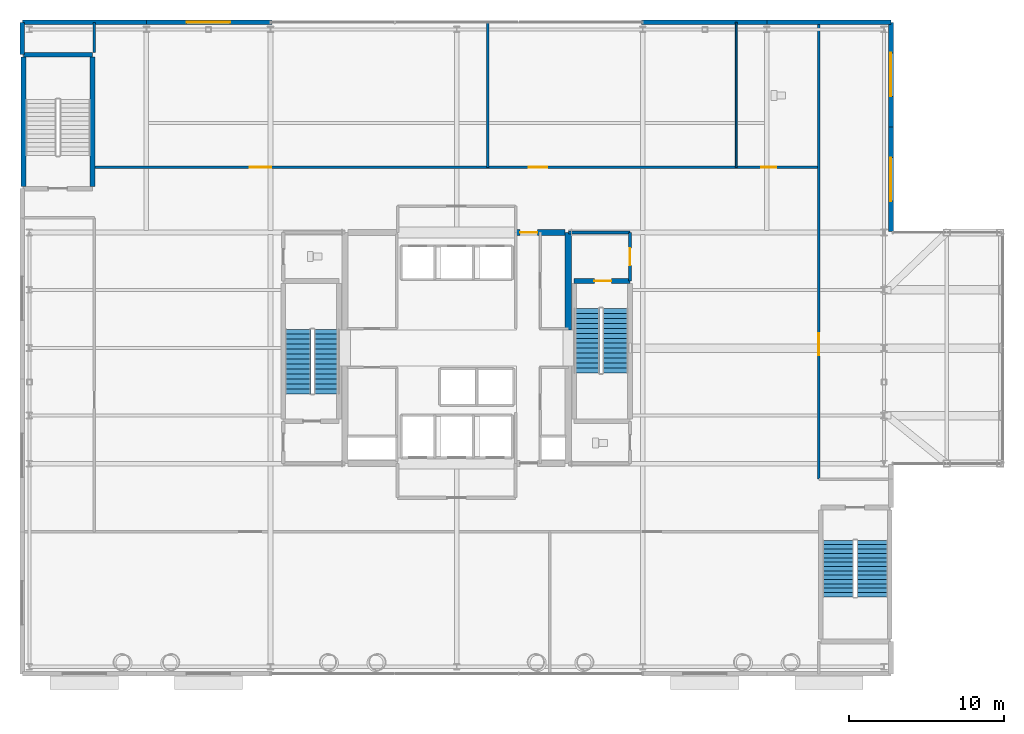
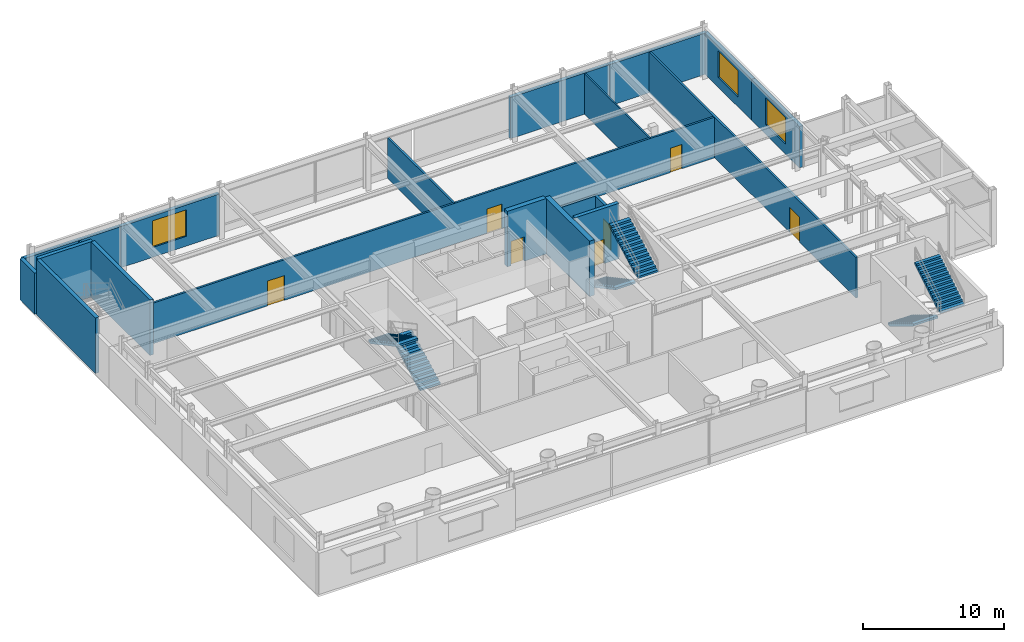
# One storey, part 21 of 26: 20 walls, 7 doors, 6 stair flights, 3 windows, 10 openings, 3 elements without a shape of their own.
"""IFC4 building model written with IfcOpenShell, lengths in metres."""

from ifc_helpers import new_model, si_unit, direction, frame, frame_2d, origin, place, context, subcontext, project, spatial, polyline, rectangle, outline, extrude, material, layer, layer_set, type_object, element, fill, aggregate, save


model = new_model("IFC4")

# Units and contexts
model_context = context("Model", 3, precision=1e-05, world=origin(), true_north=direction((0.0, 1.0)))
body_context = subcontext(model_context, "Body", "Model", "MODEL_VIEW")
ifc_project = project(units=[si_unit("LENGTHUNIT", "METRE"), si_unit("AREAUNIT", "SQUARE_METRE"), si_unit("VOLUMEUNIT", "CUBIC_METRE"), si_unit("PLANEANGLEUNIT", "RADIAN"), si_unit("MASSUNIT", "GRAM", prefix="KILO")], contexts=[model_context])

# Site, building, storey
site_placement = place(None, origin())
site = spatial("IfcSite", under=ifc_project, at=site_placement, CompositionType="ELEMENT")
building_placement = place(site_placement, origin())
building = spatial("IfcBuilding", under=site, at=building_placement, Name="Veldorina Hangang Commons", CompositionType="ELEMENT")
storey_placement = place(building_placement, frame((0.0, 0.0, 5.199951171875)))
storey = spatial("IfcBuildingStorey", under=building, at=storey_placement, Name="L01", CompositionType="ELEMENT", Elevation=5.199951171875)

# Wall
ifc_material_1 = material(Name="Concrete C70/85", Category="concrete")
ifc_layer_1 = layer(ifc_material_1, 0.39990234375)
ifc_layer_set_1 = layer_set([ifc_layer_1], Name="Concrete C70/85")
wall_type_1 = type_object("IfcWallType", Name="CW-RC400-C70", PredefinedType="SHEAR", material=ifc_layer_set_1)
wall_1_placement = place(storey_placement, frame((39.199951171875, 25.14990234375, 0.0), z_axis=(0.0, 0.0, 1.0), x_axis=(0.0, 1.0, 0.0)))
element("IfcWall", 1, at=wall_1_placement, inside=storey, type_object=wall_type_1, Name="L01 E north core shear wall", PredefinedType="SHEAR", context=body_context, shape_type="SweptSolid", body=[
    extrude(rectangle(XDim=6.300048828125, YDim=0.39990234375, at=frame_2d((3.14990234375, 0.0))), origin(), (0.0, 0.0, 1.0), 4.800048828125),
])

# Wall, opening, door
wall_2_placement = place(storey_placement, frame((35.800048828125, 31.449951171875, 0.0), z_axis=(0.0, 0.0, 1.0), x_axis=(1.0, 0.0, 0.0)))
wall_2 = element("IfcWall", 2, at=wall_2_placement, inside=storey, type_object=wall_type_1, Name="L01 north-east core shear wall", PredefinedType="SHEAR", context=body_context, shape_type="SweptSolid", body=[
    extrude(rectangle(XDim=3.199951171875, YDim=0.39990234375, at=frame_2d((1.60009765625, 0.0))), origin(), (0.0, 0.0, 1.0), 4.800048828125),
])
opening_1_placement = place(wall_2_placement, frame((0.300048828125, 0.0, 0.0)))
opening_1 = element("IfcOpeningElement", 3, at=opening_1_placement, cuts=wall_2, Name="Opening D-08", PredefinedType="OPENING", context=body_context, shape_type="SweptSolid", body=[
    extrude(rectangle(XDim=1.10009765625, YDim=2.10009765625, at=frame_2d((0.550048828125, 1.050048828125))), frame((0.0, 0.2099609375, 0.0), z_axis=(0.0, -1.0, 0.0), x_axis=(1.0, 0.0, 0.0)), (0.0, 0.0, 1.0), 0.419921875),
])
ifc_material_2 = material(Name="Steel Fire-Rated Smoke Seal", Category="steel")
door_type_1 = type_object("IfcDoorType", Name="DR-FIRE-1100", OperationType="SINGLE_SWING_RIGHT", PredefinedType="DOOR", material=ifc_material_2)
door_1_placement = place(opening_1_placement, origin())
door_1 = element("IfcDoor", 4, at=door_1_placement, inside=storey, type_object=door_type_1, Name="L01 central lift lobby north corridor door", OperationType="SINGLE_SWING_LEFT", OverallHeight=2.10009765625, OverallWidth=1.10009765625, PredefinedType="DOOR", context=body_context, shape_type="SweptSolid", body=[
    extrude(rectangle(XDim=1.10009765625, YDim=2.10009765625, at=frame_2d((0.550048828125, 1.050048828125))), frame((0.0, 0.02490234375, 0.0), z_axis=(0.0, -1.0, 0.0), x_axis=(1.0, 0.0, 0.0)), (0.0, 0.0, 1.0), 0.050048828125),
])
fill(opening_1, door_1)

# Wall
ifc_material_3 = material(Name="Stone Roman Travertine", Category="masonry")
ifc_layer_2 = layer(ifc_material_3, 0.300048828125)
ifc_layer_set_2 = layer_set([ifc_layer_2], Name="Stone Roman Travertine")
wall_type_2 = type_object("IfcWallType", Name="EW-TRAV-300", PredefinedType="STANDARD", material=ifc_layer_set_2)
wall_3_placement = place(storey_placement, frame((12.0, 45.0, 0.0), z_axis=(0.0, 0.0, 1.0), x_axis=(-1.0, 0.0, 0.0)))
element("IfcWall", 5, at=wall_3_placement, inside=storey, type_object=wall_type_2, Name="L01 north podium stone wall N1", PredefinedType="STANDARD", context=body_context, shape_type="SweptSolid", body=[
    extrude(rectangle(XDim=8.0, YDim=0.300048828125, at=frame_2d((4.0, 0.0))), origin(), (0.0, 0.0, 1.0), 3.570068359375),
])

# Wall, opening, window
wall_4_placement = place(storey_placement, frame((20.094970703125, 45.0, 0.0), z_axis=(0.0, 0.0, 1.0), x_axis=(-1.0, 0.0, 0.0)))
wall_4 = element("IfcWall", 6, at=wall_4_placement, inside=storey, type_object=wall_type_2, Name="L01 north podium stone wall N2", PredefinedType="STANDARD", context=body_context, shape_type="SweptSolid", body=[
    extrude(rectangle(XDim=8.094970703125, YDim=0.300048828125, at=frame_2d((4.04736328125, 0.0))), origin(), (0.0, 0.0, 1.0), 3.570068359375),
])
opening_2_placement = place(wall_4_placement, frame((2.695068359375, 0.0, 0.85009765625)))
opening_2 = element("IfcOpeningElement", 7, at=opening_2_placement, cuts=wall_4, Name="Opening W-06", PredefinedType="OPENING", context=body_context, shape_type="SweptSolid", body=[
    extrude(rectangle(XDim=2.800048828125, YDim=2.300048828125, at=frame_2d((1.39990234375, 1.14990234375))), frame((0.0, 0.16015625, 0.0), z_axis=(0.0, -1.0, 0.0), x_axis=(1.0, 0.0, 0.0)), (0.0, 0.0, 1.0), 0.320068359375),
])
ifc_material_4 = material(Name="Glass Acoustic Laminated", Category="glass")
window_type = type_object("IfcWindowType", Name="WIN-POD-2800", PartitioningType="SINGLE_PANEL", PredefinedType="WINDOW", material=ifc_material_4)
window_1_placement = place(opening_2_placement, origin())
window_1 = element("IfcWindow", 8, at=window_1_placement, inside=storey, type_object=window_type, Name="L01 north podium window N2", OverallHeight=2.300048828125, OverallWidth=2.800048828125, PartitioningType="SINGLE_PANEL", PredefinedType="WINDOW", context=body_context, shape_type="SweptSolid", body=[
    extrude(rectangle(XDim=2.800048828125, YDim=2.300048828125, at=frame_2d((1.39990234375, 1.14990234375))), frame((0.0, 0.030029296875, 0.0), z_axis=(0.0, -1.0, 0.0), x_axis=(1.0, 0.0, 0.0)), (0.0, 0.0, 1.0), 0.06005859375),
])
fill(opening_2, window_1)

# Walls
wall_5_placement = place(storey_placement, frame((52.0, 45.0, 0.0), z_axis=(0.0, 0.0, 1.0), x_axis=(-1.0, 0.0, 0.0)))
element("IfcWall", 9, at=wall_5_placement, inside=storey, type_object=wall_type_2, Name="L01 north podium stone wall N6", PredefinedType="STANDARD", context=body_context, shape_type="SweptSolid", body=[
    extrude(rectangle(XDim=8.094970703125, YDim=0.300048828125, at=frame_2d((4.04736328125, 0.0))), origin(), (0.0, 0.0, 1.0), 3.570068359375),
])
wall_6_placement = place(storey_placement, frame((60.0, 45.0, 0.0), z_axis=(0.0, 0.0, 1.0), x_axis=(-1.0, 0.0, 0.0)))
element("IfcWall", 10, at=wall_6_placement, inside=storey, type_object=wall_type_2, Name="L01 north podium stone wall N7", PredefinedType="STANDARD", context=body_context, shape_type="SweptSolid", body=[
    extrude(rectangle(XDim=8.0, YDim=0.300048828125, at=frame_2d((4.0, 0.0))), origin(), (0.0, 0.0, 1.0), 3.570068359375),
])
wall_7_placement = place(storey_placement, frame((4.0, 45.0, 0.0), z_axis=(0.0, 0.0, 1.0), x_axis=(0.0, -1.0, 0.0)))
element("IfcWall", 11, at=wall_7_placement, inside=storey, type_object=wall_type_2, Name="L01 west podium stone wall W6", PredefinedType="STANDARD", context=body_context, shape_type="SweptSolid", body=[
    extrude(rectangle(XDim=2.080078125, YDim=0.300048828125, at=frame_2d((1.0400390625, 0.0))), origin(), (0.0, 0.0, 1.0), 3.570068359375),
])

# Wall, opening, window
wall_8_placement = place(storey_placement, frame((60.0, 31.5, 0.0), z_axis=(0.0, 0.0, 1.0), x_axis=(0.0, 1.0, 0.0)))
wall_8 = element("IfcWall", 12, at=wall_8_placement, inside=storey, type_object=wall_type_2, Name="L01 east podium stone wall EN1", PredefinedType="STANDARD", context=body_context, shape_type="SweptSolid", body=[
    extrude(rectangle(XDim=6.75, YDim=0.300048828125, at=frame_2d((3.375, 0.0))), origin(), (0.0, 0.0, 1.0), 3.570068359375),
])
opening_3_placement = place(wall_8_placement, frame((1.97509765625, 0.0, 0.85009765625)))
opening_3 = element("IfcOpeningElement", 13, at=opening_3_placement, cuts=wall_8, Name="Opening W-06", PredefinedType="OPENING", context=body_context, shape_type="SweptSolid", body=[
    extrude(rectangle(XDim=2.800048828125, YDim=2.300048828125, at=frame_2d((1.39990234375, 1.14990234375))), frame((0.0, 0.16015625, 0.0), z_axis=(0.0, -1.0, 0.0), x_axis=(1.0, 0.0, 0.0)), (0.0, 0.0, 1.0), 0.320068359375),
])
window_2_placement = place(opening_3_placement, origin())
window_2 = element("IfcWindow", 14, at=window_2_placement, inside=storey, type_object=window_type, Name="L01 east podium window EN1", OverallHeight=2.300048828125, OverallWidth=2.800048828125, PartitioningType="SINGLE_PANEL", PredefinedType="WINDOW", context=body_context, shape_type="SweptSolid", body=[
    extrude(rectangle(XDim=2.800048828125, YDim=2.300048828125, at=frame_2d((1.39990234375, 1.14990234375))), frame((0.0, 0.030029296875, 0.0), z_axis=(0.0, -1.0, 0.0), x_axis=(1.0, 0.0, 0.0)), (0.0, 0.0, 1.0), 0.06005859375),
])
fill(opening_3, window_2)

wall_9_placement = place(storey_placement, frame((60.0, 38.25, 0.0), z_axis=(0.0, 0.0, 1.0), x_axis=(0.0, 1.0, 0.0)))
wall_9 = element("IfcWall", 15, at=wall_9_placement, inside=storey, type_object=wall_type_2, Name="L01 east podium stone wall EN2", PredefinedType="STANDARD", context=body_context, shape_type="SweptSolid", body=[
    extrude(rectangle(XDim=6.75, YDim=0.300048828125, at=frame_2d((3.375, 0.0))), origin(), (0.0, 0.0, 1.0), 3.570068359375),
])
opening_4_placement = place(wall_9_placement, frame((1.97509765625, 0.0, 0.85009765625)))
opening_4 = element("IfcOpeningElement", 16, at=opening_4_placement, cuts=wall_9, Name="Opening W-06", PredefinedType="OPENING", context=body_context, shape_type="SweptSolid", body=[
    extrude(rectangle(XDim=2.800048828125, YDim=2.300048828125, at=frame_2d((1.39990234375, 1.14990234375))), frame((0.0, 0.16015625, 0.0), z_axis=(0.0, -1.0, 0.0), x_axis=(1.0, 0.0, 0.0)), (0.0, 0.0, 1.0), 0.320068359375),
])
window_3_placement = place(opening_4_placement, origin())
window_3 = element("IfcWindow", 17, at=window_3_placement, inside=storey, type_object=window_type, Name="L01 east podium window EN2", OverallHeight=2.300048828125, OverallWidth=2.800048828125, PartitioningType="SINGLE_PANEL", PredefinedType="WINDOW", context=body_context, shape_type="SweptSolid", body=[
    extrude(rectangle(XDim=2.800048828125, YDim=2.300048828125, at=frame_2d((1.39990234375, 1.14990234375))), frame((0.0, 0.030029296875, 0.0), z_axis=(0.0, -1.0, 0.0), x_axis=(1.0, 0.0, 0.0)), (0.0, 0.0, 1.0), 0.06005859375),
])
fill(opening_4, window_3)

# Wall, opening, door
ifc_material_5 = material(Name="Concrete C50/60", Category="concrete")
ifc_layer_3 = layer(ifc_material_5, 0.300048828125)
ifc_layer_set_3 = layer_set([ifc_layer_3], Name="Concrete C50/60")
wall_type_3 = type_object("IfcWallType", Name="SW-STAIR-300", PredefinedType="SHEAR", material=ifc_layer_set_3)
wall_10_placement = place(storey_placement, frame((39.580078125, 28.320068359375, 0.0), z_axis=(0.0, 0.0, 1.0), x_axis=(1.0, 0.0, 0.0)))
wall_10 = element("IfcWall", 18, at=wall_10_placement, inside=storey, type_object=wall_type_3, Name="L01 ST2 north stair shear wall", PredefinedType="SHEAR", context=body_context, shape_type="SweptSolid", body=[
    extrude(rectangle(XDim=3.599853515625, YDim=0.300048828125, at=frame_2d((1.7998046875, 0.0))), origin(), (0.0, 0.0, 1.0), 4.800048828125),
])
opening_5_placement = place(wall_10_placement, frame((1.300048828125, 0.0, 0.0)))
opening_5 = element("IfcOpeningElement", 19, at=opening_5_placement, cuts=wall_10, Name="Opening D-08", PredefinedType="OPENING", context=body_context, shape_type="SweptSolid", body=[
    extrude(rectangle(XDim=1.10009765625, YDim=2.10009765625, at=frame_2d((0.550048828125, 1.050048828125))), frame((0.0, 0.16015625, 0.0), z_axis=(0.0, -1.0, 0.0), x_axis=(1.0, 0.0, 0.0)), (0.0, 0.0, 1.0), 0.320068359375),
])
door_2_placement = place(opening_5_placement, origin())
door_2 = element("IfcDoor", 20, at=door_2_placement, inside=storey, type_object=door_type_1, Name="L01 Special Escape Stair ST-2 door", OperationType="SINGLE_SWING_RIGHT", OverallHeight=2.10009765625, OverallWidth=1.10009765625, PredefinedType="DOOR", context=body_context, shape_type="SweptSolid", body=[
    extrude(rectangle(XDim=1.10009765625, YDim=2.10009765625, at=frame_2d((0.550048828125, 1.050048828125))), frame((0.0, 0.02490234375, 0.0), z_axis=(0.0, -1.0, 0.0), x_axis=(1.0, 0.0, 0.0)), (0.0, 0.0, 1.0), 0.050048828125),
])
fill(opening_5, door_2)

# Walls
for number, where, z_axis, x_axis, name in (
    (21, (4.080078125, 34.429931640625, 0.0), (0.0, 0.0, 1.0), (0.0, 1.0, 0.0), "L01 STP1 W stair shear wall"),
    (22, (8.52001953125, 34.429931640625, 0.0), (0.0, 0.0, 1.0), (0.0, 1.0, 0.0), "L01 STP1 E stair shear wall"),
):
    element("IfcWall", number, at=place(storey_placement, frame(where, z_axis=z_axis, x_axis=x_axis)), inside=storey, type_object=wall_type_3, Name=name, PredefinedType="SHEAR", context=body_context, shape_type="SweptSolid", body=[
        extrude(rectangle(XDim=8.340087890625, YDim=0.300048828125, at=frame_2d((4.169921875, 0.0))), origin(), (0.0, 0.0, 1.0), 4.800048828125),
    ])
wall_11_placement = place(storey_placement, frame((4.080078125, 42.919921875, 0.0), z_axis=(0.0, 0.0, 1.0), x_axis=(1.0, 0.0, 0.0)))
element("IfcWall", 23, at=wall_11_placement, inside=storey, type_object=wall_type_3, Name="L01 STP1 N stair shear wall", PredefinedType="SHEAR", context=body_context, shape_type="SweptSolid", body=[
    extrude(rectangle(XDim=4.43994140625, YDim=0.300048828125, at=frame_2d((2.219970703125, 0.0))), origin(), (0.0, 0.0, 1.0), 4.800048828125),
])

# Wall, openings, doors
ifc_material_6 = material(Name="Gypsum Fire-Rated Twin Stud Wall", Category="gypsum")
ifc_layer_4 = layer(ifc_material_6, 0.159912109375)
ifc_layer_set_4 = layer_set([ifc_layer_4], Name="Gypsum Fire-Rated Twin Stud Wall")
wall_type_4 = type_object("IfcWallType", Name="WL-FIRE-160", PredefinedType="SOLIDWALL", material=ifc_layer_set_4)
wall_12_placement = place(storey_placement, frame((8.64990234375, 35.64990234375, 0.0), z_axis=(0.0, 0.0, 1.0), x_axis=(1.0, 0.0, 0.0)))
wall_12 = element("IfcWall", 24, at=wall_12_placement, inside=storey, type_object=wall_type_4, Name="L01 L01 gallery north wall 045", PredefinedType="SOLIDWALL", context=body_context, shape_type="SweptSolid", body=[
    extrude(rectangle(XDim=46.7001953125, YDim=0.159912109375, at=frame_2d((23.35009765625, 0.0))), origin(), (0.0, 0.0, 1.0), 3.52001953125),
])
opening_6_placement = place(wall_12_placement, frame((10.0, 0.0, 0.0)))
opening_6 = element("IfcOpeningElement", 25, at=opening_6_placement, cuts=wall_12, Name="Opening D-11", PredefinedType="OPENING", context=body_context, shape_type="SweptSolid", body=[
    extrude(rectangle(XDim=1.39990234375, YDim=2.14990234375, at=frame_2d((0.699951171875, 1.074951171875))), frame((0.0, 0.08984375, 0.0), z_axis=(0.0, -1.0, 0.0), x_axis=(1.0, 0.0, 0.0)), (0.0, 0.0, 1.0), 0.179931640625),
])
opening_7_placement = place(wall_12_placement, frame((28.0, 0.0, 0.0)))
opening_7 = element("IfcOpeningElement", 26, at=opening_7_placement, cuts=wall_12, Name="Opening D-09", PredefinedType="OPENING", context=body_context, shape_type="SweptSolid", body=[
    extrude(rectangle(XDim=1.199951171875, YDim=2.10009765625, at=frame_2d((0.60009765625, 1.050048828125))), frame((0.0, 0.08984375, 0.0), z_axis=(0.0, -1.0, 0.0), x_axis=(1.0, 0.0, 0.0)), (0.0, 0.0, 1.0), 0.179931640625),
])
opening_8_placement = place(wall_12_placement, frame((43.0, 0.0, 0.0)))
opening_8 = element("IfcOpeningElement", 27, at=opening_8_placement, cuts=wall_12, Name="Opening D-02", PredefinedType="OPENING", context=body_context, shape_type="SweptSolid", body=[
    extrude(rectangle(XDim=0.949951171875, YDim=2.10009765625, at=frame_2d((0.47509765625, 1.050048828125))), frame((0.0, 0.08984375, 0.0), z_axis=(0.0, -1.0, 0.0), x_axis=(1.0, 0.0, 0.0)), (0.0, 0.0, 1.0), 0.179931640625),
])
ifc_material_7 = material(Name="Steel Fire-Rated Corridor Door", Category="steel")
door_type_2 = type_object("IfcDoorType", Name="DR-FIRE-1200", OperationType="SINGLE_SWING_LEFT", PredefinedType="DOOR", material=ifc_material_7)
door_3_placement = place(opening_7_placement, origin())
door_3 = element("IfcDoor", 28, at=door_3_placement, inside=storey, type_object=door_type_2, Name="L01 Seminar studio door 021", OperationType="SINGLE_SWING_LEFT", OverallHeight=2.10009765625, OverallWidth=1.199951171875, PredefinedType="DOOR", context=body_context, shape_type="SweptSolid", body=[
    extrude(rectangle(XDim=1.199951171875, YDim=2.10009765625, at=frame_2d((0.60009765625, 1.050048828125))), frame((0.0, 0.02490234375, 0.0), z_axis=(0.0, -1.0, 0.0), x_axis=(1.0, 0.0, 0.0)), (0.0, 0.0, 1.0), 0.050048828125),
])
fill(opening_7, door_3)
ifc_material_8 = material(Name="Steel Glazed Fire Assembly Door", Category="steel")
door_type_3 = type_object("IfcDoorType", Name="DR-FIRE-1400", OperationType="DOUBLE_SWING_LEFT", PredefinedType="DOOR", material=ifc_material_8)
door_4_placement = place(opening_6_placement, origin())
door_4 = element("IfcDoor", 29, at=door_4_placement, inside=storey, type_object=door_type_3, Name="L01 Assembly hall door 020", OperationType="SINGLE_SWING_RIGHT", OverallHeight=2.14990234375, OverallWidth=1.39990234375, PredefinedType="DOOR", context=body_context, shape_type="SweptSolid", body=[
    extrude(rectangle(XDim=1.39990234375, YDim=2.14990234375, at=frame_2d((0.699951171875, 1.074951171875))), frame((0.0, 0.02490234375, 0.0), z_axis=(0.0, -1.0, 0.0), x_axis=(1.0, 0.0, 0.0)), (0.0, 0.0, 1.0), 0.050048828125),
])
fill(opening_6, door_4)
ifc_material_9 = material(Name="Timber Solid Core Acoustic", Category="wood")
door_type_4 = type_object("IfcDoorType", Name="DR-INT-950", OperationType="SINGLE_SWING_LEFT", PredefinedType="DOOR", material=ifc_material_9)
door_5_placement = place(opening_8_placement, origin())
door_5 = element("IfcDoor", 30, at=door_5_placement, inside=storey, type_object=door_type_4, Name="L01 Public restroom door 022", OperationType="SINGLE_SWING_RIGHT", OverallHeight=2.10009765625, OverallWidth=0.949951171875, PredefinedType="DOOR", context=body_context, shape_type="SweptSolid", body=[
    extrude(rectangle(XDim=0.949951171875, YDim=2.10009765625, at=frame_2d((0.47509765625, 1.050048828125))), frame((0.0, 0.02490234375, 0.0), z_axis=(0.0, -1.0, 0.0), x_axis=(1.0, 0.0, 0.0)), (0.0, 0.0, 1.0), 0.050048828125),
])
fill(opening_8, door_5)

# Wall, opening, door
wall_13_placement = place(storey_placement, frame((55.35009765625, 15.550048828125, 0.0), z_axis=(0.0, 0.0, 1.0), x_axis=(0.0, 1.0, 0.0)))
wall_13 = element("IfcWall", 31, at=wall_13_placement, inside=storey, type_object=wall_type_4, Name="L01 L01 gallery east wall 049", PredefinedType="SOLIDWALL", context=body_context, shape_type="SweptSolid", body=[
    extrude(rectangle(XDim=29.449951171875, YDim=0.159912109375, at=frame_2d((14.72509765625, 0.0))), origin(), (0.0, 0.0, 1.0), 3.52001953125),
])
opening_9_placement = place(wall_13_placement, frame((8.0, 0.0, 0.0)))
opening_9 = element("IfcOpeningElement", 32, at=opening_9_placement, cuts=wall_13, Name="Opening D-11", PredefinedType="OPENING", context=body_context, shape_type="SweptSolid", body=[
    extrude(rectangle(XDim=1.39990234375, YDim=2.14990234375, at=frame_2d((0.699951171875, 1.074951171875))), frame((0.0, 0.08984375, 0.0), z_axis=(0.0, -1.0, 0.0), x_axis=(1.0, 0.0, 0.0)), (0.0, 0.0, 1.0), 0.179931640625),
])
door_6_placement = place(opening_9_placement, origin())
door_6 = element("IfcDoor", 33, at=door_6_placement, inside=storey, type_object=door_type_3, Name="L01 Cantilever lounge double door 017", OperationType="SINGLE_SWING_LEFT", OverallHeight=2.14990234375, OverallWidth=1.39990234375, PredefinedType="DOOR", context=body_context, shape_type="SweptSolid", body=[
    extrude(rectangle(XDim=1.39990234375, YDim=2.14990234375, at=frame_2d((0.699951171875, 1.074951171875))), frame((0.0, 0.02490234375, 0.0), z_axis=(0.0, -1.0, 0.0), x_axis=(1.0, 0.0, 0.0)), (0.0, 0.0, 1.0), 0.050048828125),
])
fill(opening_9, door_6)

# Walls
wall_14_placement = place(storey_placement, frame((8.64990234375, 43.070068359375, 0.0), z_axis=(0.0, 0.0, 1.0), x_axis=(0.0, 1.0, 0.0)))
element("IfcWall", 34, at=wall_14_placement, inside=storey, type_object=wall_type_4, Name="L01 L01 NW stair vestibule wall 051", PredefinedType="SOLIDWALL", context=body_context, shape_type="SweptSolid", body=[
    extrude(rectangle(XDim=1.929931640625, YDim=0.159912109375, at=frame_2d((0.96484375, 0.0))), origin(), (0.0, 0.0, 1.0), 3.52001953125),
])
wall_15_placement = place(storey_placement, frame((34.0, 35.64990234375, 0.0), z_axis=(0.0, 0.0, 1.0), x_axis=(0.0, 1.0, 0.0)))
element("IfcWall", 35, at=wall_15_placement, inside=storey, type_object=wall_type_4, Name="L01 Assembly-seminar wall 054", PredefinedType="SOLIDWALL", context=body_context, shape_type="SweptSolid", body=[
    extrude(rectangle(XDim=9.35009765625, YDim=0.159912109375, at=frame_2d((4.675048828125, 0.0))), origin(), (0.0, 0.0, 1.0), 3.52001953125),
])

# Wall, opening, door
ifc_material_10 = material(Name="Concrete Blockwork Fire Wall C30/37", Category="masonry")
ifc_layer_5 = layer(ifc_material_10, 0.199951171875)
ifc_layer_set_5 = layer_set([ifc_layer_5], Name="Concrete Blockwork Fire Wall C30/37")
wall_type_5 = type_object("IfcWallType", Name="WL-FIRE-200", PredefinedType="SOLIDWALL", material=ifc_layer_set_5)
wall_16_placement = place(storey_placement, frame((43.179931640625, 28.320068359375, 0.0), z_axis=(0.0, 0.0, 1.0), x_axis=(0.0, 1.0, 0.0)))
wall_16 = element("IfcWall", 36, at=wall_16_placement, inside=storey, type_object=wall_type_5, Name="L01 East vestibule outer wall 003", PredefinedType="SOLIDWALL", context=body_context, shape_type="SweptSolid", body=[
    extrude(rectangle(XDim=3.1298828125, YDim=0.199951171875, at=frame_2d((1.56494140625, 0.0))), origin(), (0.0, 0.0, 1.0), 3.52001953125),
])
opening_10_placement = place(wall_16_placement, frame((1.014892578125, 0.0, 0.0)))
opening_10 = element("IfcOpeningElement", 37, at=opening_10_placement, cuts=wall_16, Name="Opening D-08", PredefinedType="OPENING", context=body_context, shape_type="SweptSolid", body=[
    extrude(rectangle(XDim=1.10009765625, YDim=2.10009765625, at=frame_2d((0.550048828125, 1.050048828125))), frame((0.0, 0.10986328125, 0.0), z_axis=(0.0, -1.0, 0.0), x_axis=(1.0, 0.0, 0.0)), (0.0, 0.0, 1.0), 0.219970703125),
])
door_7_placement = place(opening_10_placement, origin())
door_7 = element("IfcDoor", 38, at=door_7_placement, inside=storey, type_object=door_type_1, Name="L01 East vestibule east door 002", OperationType="SINGLE_SWING_RIGHT", OverallHeight=2.10009765625, OverallWidth=1.10009765625, PredefinedType="DOOR", context=body_context, shape_type="SweptSolid", body=[
    extrude(rectangle(XDim=1.10009765625, YDim=2.10009765625, at=frame_2d((0.550048828125, 1.050048828125))), frame((0.0, 0.02490234375, 0.0), z_axis=(0.0, -1.0, 0.0), x_axis=(1.0, 0.0, 0.0)), (0.0, 0.0, 1.0), 0.050048828125),
])
fill(opening_10, door_7)

# Walls
wall_17_placement = place(storey_placement, frame((39.199951171875, 31.449951171875, 0.0), z_axis=(0.0, 0.0, 1.0), x_axis=(1.0, 0.0, 0.0)))
element("IfcWall", 39, at=wall_17_placement, inside=storey, type_object=wall_type_5, Name="L01 East vestibule north wall 004", PredefinedType="SOLIDWALL", context=body_context, shape_type="SweptSolid", body=[
    extrude(rectangle(XDim=3.97998046875, YDim=0.199951171875, at=frame_2d((1.989990234375, 0.0))), origin(), (0.0, 0.0, 1.0), 3.52001953125),
])
ifc_material_11 = material(Name="Gypsum Acoustic Stud Partition", Category="gypsum")
ifc_layer_6 = layer(ifc_material_11, 0.1201171875)
ifc_layer_set_6 = layer_set([ifc_layer_6], Name="Gypsum Acoustic Stud Partition")
wall_type_6 = type_object("IfcWallType", Name="WL-PART-120", PredefinedType="PARTITIONING", material=ifc_layer_set_6)
wall_18_placement = place(storey_placement, frame((50.030029296875, 35.64990234375, 0.0), z_axis=(0.0, 0.0, 1.0), x_axis=(0.0, 1.0, 0.0)))
element("IfcWall", 40, at=wall_18_placement, inside=storey, type_object=wall_type_6, Name="L01 Seminar-WC wall 055", PredefinedType="PARTITIONING", context=body_context, shape_type="SweptSolid", body=[
    extrude(rectangle(XDim=9.35009765625, YDim=0.1201171875, at=frame_2d((4.675048828125, 0.0))), origin(), (0.0, 0.0, 1.0), 3.52001953125),
])

# Stair, stair flights
ifc_material_12 = material(Name="Concrete C40/50", Category="concrete")
stair_type_1 = type_object("IfcStairType", Name="STR-DOG-1650-28R", PredefinedType="HALF_TURN_STAIR", material=ifc_material_12)
stair_1_placement = place(storey_placement, origin())
stair_1 = element("IfcStair", 41, at=stair_1_placement, inside=storey, type_object=stair_type_1, Name="L01 Exit stair ST-1", PredefinedType="HALF_TURN_STAIR")
stair_flight_type_1 = type_object("IfcStairFlightType", Name="SFL-STR-1650-28R", PredefinedType="STRAIGHT", material=ifc_material_12)
stair_flight_1_placement = place(storey_placement, frame((23.625, 21.050048828125, 0.0), z_axis=(0.0, 0.0, 1.0), x_axis=(0.0, 1.0, 0.0)))
stair_flight_1 = element("IfcStairFlight", 42, at=stair_flight_1_placement, type_object=stair_flight_type_1, Name="ST-1 flight 1", NumberOfRisers=14, NumberOfTreads=13, PredefinedType="STRAIGHT", RiserHeight=0.171428571, TreadLength=0.32, context=body_context, shape_type="SweptSolid", body=[
    extrude(outline(polyline([(0.0, 0.0), (0.0, 0.17138671875), (0.320068359375, 0.17138671875), (0.320068359375, 0.3427734375), (0.639892578125, 0.3427734375), (0.639892578125, 0.514404296875), (0.9599609375, 0.514404296875), (0.9599609375, 0.685791015625), (1.280029296875, 0.685791015625), (1.280029296875, 0.857177734375), (1.60009765625, 0.857177734375), (1.60009765625, 1.028564453125), (1.919921875, 1.028564453125), (1.919921875, 1.199951171875), (2.239990234375, 1.199951171875), (2.239990234375, 1.371337890625), (2.56005859375, 1.371337890625), (2.56005859375, 1.54296875), (2.8798828125, 1.54296875), (2.8798828125, 1.71435546875), (3.199951171875, 1.71435546875), (3.199951171875, 1.8857421875), (3.52001953125, 1.8857421875), (3.52001953125, 2.05712890625), (3.840087890625, 2.05712890625), (3.840087890625, 2.228515625), (4.159912109375, 2.228515625), (4.159912109375, 2.39990234375), (4.159912109375, 2.05859375), (0.3173828125, 0.0), (0.0, 0.0)])), frame((0.0, 0.824951171875, 0.0), z_axis=(0.0, -1.0, 0.0), x_axis=(1.0, 0.0, 0.0)), (0.0, 0.0, 1.0), 1.64990234375),
])
stair_flight_2_placement = place(storey_placement, frame((21.77490234375, 25.2099609375, 2.400146484375), z_axis=(0.0, 0.0, 1.0), x_axis=(0.0, -1.0, 0.0)))
stair_flight_2 = element("IfcStairFlight", 43, at=stair_flight_2_placement, type_object=stair_flight_type_1, Name="ST-1 flight 2", NumberOfRisers=14, NumberOfTreads=13, PredefinedType="STRAIGHT", RiserHeight=0.171428571, TreadLength=0.32, context=body_context, shape_type="SweptSolid", body=[
    extrude(outline(polyline([(0.0, 0.0), (0.0, 0.17138671875), (0.320068359375, 0.17138671875), (0.320068359375, 0.3427734375), (0.639892578125, 0.3427734375), (0.639892578125, 0.514404296875), (0.9599609375, 0.514404296875), (0.9599609375, 0.685791015625), (1.280029296875, 0.685791015625), (1.280029296875, 0.857177734375), (1.60009765625, 0.857177734375), (1.60009765625, 1.028564453125), (1.919921875, 1.028564453125), (1.919921875, 1.199951171875), (2.239990234375, 1.199951171875), (2.239990234375, 1.371337890625), (2.56005859375, 1.371337890625), (2.56005859375, 1.54296875), (2.8798828125, 1.54296875), (2.8798828125, 1.71435546875), (3.199951171875, 1.71435546875), (3.199951171875, 1.8857421875), (3.52001953125, 1.8857421875), (3.52001953125, 2.05712890625), (3.840087890625, 2.05712890625), (3.840087890625, 2.228515625), (4.159912109375, 2.228515625), (4.159912109375, 2.39990234375), (4.159912109375, 2.05859375), (0.3173828125, 0.0), (0.0, 0.0)])), frame((0.0, 0.824951171875, 0.0), z_axis=(0.0, -1.0, 0.0), x_axis=(1.0, 0.0, 0.0)), (0.0, 0.0, 1.0), 1.64990234375),
])
aggregate(stair_1, [stair_flight_1, stair_flight_2])

stair_2_placement = place(storey_placement, origin())
stair_2 = element("IfcStair", 44, at=stair_2_placement, inside=storey, type_object=stair_type_1, Name="L01 Exit stair ST-2", PredefinedType="HALF_TURN_STAIR")
stair_flight_3_placement = place(storey_placement, frame((40.375, 26.550048828125, 0.0), z_axis=(0.0, 0.0, 1.0), x_axis=(0.0, -1.0, 0.0)))
stair_flight_3 = element("IfcStairFlight", 45, at=stair_flight_3_placement, type_object=stair_flight_type_1, Name="ST-2 flight 1", NumberOfRisers=14, NumberOfTreads=13, PredefinedType="STRAIGHT", RiserHeight=0.171428571, TreadLength=0.32, context=body_context, shape_type="SweptSolid", body=[
    extrude(outline(polyline([(0.0, 0.0), (0.0, 0.17138671875), (0.320068359375, 0.17138671875), (0.320068359375, 0.3427734375), (0.639892578125, 0.3427734375), (0.639892578125, 0.514404296875), (0.9599609375, 0.514404296875), (0.9599609375, 0.685791015625), (1.280029296875, 0.685791015625), (1.280029296875, 0.857177734375), (1.60009765625, 0.857177734375), (1.60009765625, 1.028564453125), (1.919921875, 1.028564453125), (1.919921875, 1.199951171875), (2.239990234375, 1.199951171875), (2.239990234375, 1.371337890625), (2.56005859375, 1.371337890625), (2.56005859375, 1.54296875), (2.8798828125, 1.54296875), (2.8798828125, 1.71435546875), (3.199951171875, 1.71435546875), (3.199951171875, 1.8857421875), (3.52001953125, 1.8857421875), (3.52001953125, 2.05712890625), (3.840087890625, 2.05712890625), (3.840087890625, 2.228515625), (4.159912109375, 2.228515625), (4.159912109375, 2.39990234375), (4.159912109375, 2.05859375), (0.3173828125, 0.0), (0.0, 0.0)])), frame((0.0, 0.824951171875, 0.0), z_axis=(0.0, -1.0, 0.0), x_axis=(1.0, 0.0, 0.0)), (0.0, 0.0, 1.0), 1.64990234375),
])
stair_flight_4_placement = place(storey_placement, frame((42.22509765625, 22.389892578125, 2.400146484375), z_axis=(0.0, 0.0, 1.0), x_axis=(0.0, 1.0, 0.0)))
stair_flight_4 = element("IfcStairFlight", 46, at=stair_flight_4_placement, type_object=stair_flight_type_1, Name="ST-2 flight 2", NumberOfRisers=14, NumberOfTreads=13, PredefinedType="STRAIGHT", RiserHeight=0.171428571, TreadLength=0.32, context=body_context, shape_type="SweptSolid", body=[
    extrude(outline(polyline([(0.0, 0.0), (0.0, 0.17138671875), (0.320068359375, 0.17138671875), (0.320068359375, 0.3427734375), (0.639892578125, 0.3427734375), (0.639892578125, 0.514404296875), (0.9599609375, 0.514404296875), (0.9599609375, 0.685791015625), (1.280029296875, 0.685791015625), (1.280029296875, 0.857177734375), (1.60009765625, 0.857177734375), (1.60009765625, 1.028564453125), (1.919921875, 1.028564453125), (1.919921875, 1.199951171875), (2.239990234375, 1.199951171875), (2.239990234375, 1.371337890625), (2.56005859375, 1.371337890625), (2.56005859375, 1.54296875), (2.8798828125, 1.54296875), (2.8798828125, 1.71435546875), (3.199951171875, 1.71435546875), (3.199951171875, 1.8857421875), (3.52001953125, 1.8857421875), (3.52001953125, 2.05712890625), (3.840087890625, 2.05712890625), (3.840087890625, 2.228515625), (4.159912109375, 2.228515625), (4.159912109375, 2.39990234375), (4.159912109375, 2.05859375), (0.3173828125, 0.0), (0.0, 0.0)])), frame((0.0, 0.824951171875, 0.0), z_axis=(0.0, -1.0, 0.0), x_axis=(1.0, 0.0, 0.0)), (0.0, 0.0, 1.0), 1.64990234375),
])
aggregate(stair_2, [stair_flight_3, stair_flight_4])

stair_type_2 = type_object("IfcStairType", Name="STR-DOG-2000-28R", PredefinedType="HALF_TURN_STAIR", material=ifc_material_12)
stair_3_placement = place(storey_placement, origin())
stair_3 = element("IfcStair", 47, at=stair_3_placement, inside=storey, type_object=stair_type_2, Name="L01 Exit stair ST-P2", PredefinedType="HALF_TURN_STAIR")
stair_flight_type_2 = type_object("IfcStairFlightType", Name="SFL-STR-2000-28R", PredefinedType="STRAIGHT", material=ifc_material_12)
stair_flight_5_placement = place(storey_placement, frame((56.60009765625, 11.60009765625, 0.0), z_axis=(0.0, 0.0, 1.0), x_axis=(0.0, -1.0, 0.0)))
stair_flight_5 = element("IfcStairFlight", 48, at=stair_flight_5_placement, type_object=stair_flight_type_2, Name="ST-P2 flight 1", NumberOfRisers=14, NumberOfTreads=13, PredefinedType="STRAIGHT", RiserHeight=0.171428571, TreadLength=0.28, context=body_context, shape_type="SweptSolid", body=[
    extrude(outline(polyline([(0.0, 0.0), (0.0, 0.17138671875), (0.280029296875, 0.17138671875), (0.280029296875, 0.3427734375), (0.56005859375, 0.3427734375), (0.56005859375, 0.514404296875), (0.840087890625, 0.514404296875), (0.840087890625, 0.685791015625), (1.1201171875, 0.685791015625), (1.1201171875, 0.857177734375), (1.39990234375, 0.857177734375), (1.39990234375, 1.028564453125), (1.679931640625, 1.028564453125), (1.679931640625, 1.199951171875), (1.9599609375, 1.199951171875), (1.9599609375, 1.371337890625), (2.239990234375, 1.371337890625), (2.239990234375, 1.54296875), (2.52001953125, 1.54296875), (2.52001953125, 1.71435546875), (2.800048828125, 1.71435546875), (2.800048828125, 1.8857421875), (3.080078125, 1.8857421875), (3.080078125, 2.05712890625), (3.360107421875, 2.05712890625), (3.360107421875, 2.228515625), (3.639892578125, 2.228515625), (3.639892578125, 2.39990234375), (3.639892578125, 2.052734375), (0.287109375, 0.0), (0.0, 0.0)])), frame((0.0, 1.0, 0.0), z_axis=(0.0, -1.0, 0.0), x_axis=(1.0, 0.0, 0.0)), (0.0, 0.0, 1.0), 2.0),
])
stair_flight_6_placement = place(storey_placement, frame((58.800048828125, 7.9599609375, 2.400146484375), z_axis=(0.0, 0.0, 1.0), x_axis=(0.0, 1.0, 0.0)))
stair_flight_6 = element("IfcStairFlight", 49, at=stair_flight_6_placement, type_object=stair_flight_type_2, Name="ST-P2 flight 2", NumberOfRisers=14, NumberOfTreads=13, PredefinedType="STRAIGHT", RiserHeight=0.171428571, TreadLength=0.28, context=body_context, shape_type="SweptSolid", body=[
    extrude(outline(polyline([(0.0, 0.0), (0.0, 0.17138671875), (0.280029296875, 0.17138671875), (0.280029296875, 0.3427734375), (0.56005859375, 0.3427734375), (0.56005859375, 0.514404296875), (0.840087890625, 0.514404296875), (0.840087890625, 0.685791015625), (1.1201171875, 0.685791015625), (1.1201171875, 0.857177734375), (1.39990234375, 0.857177734375), (1.39990234375, 1.028564453125), (1.679931640625, 1.028564453125), (1.679931640625, 1.199951171875), (1.9599609375, 1.199951171875), (1.9599609375, 1.371337890625), (2.239990234375, 1.371337890625), (2.239990234375, 1.54296875), (2.52001953125, 1.54296875), (2.52001953125, 1.71435546875), (2.800048828125, 1.71435546875), (2.800048828125, 1.8857421875), (3.080078125, 1.8857421875), (3.080078125, 2.05712890625), (3.360107421875, 2.05712890625), (3.360107421875, 2.228515625), (3.639892578125, 2.228515625), (3.639892578125, 2.39990234375), (3.639892578125, 2.052734375), (0.287109375, 0.0), (0.0, 0.0)])), frame((0.0, 1.0, 0.0), z_axis=(0.0, -1.0, 0.0), x_axis=(1.0, 0.0, 0.0)), (0.0, 0.0, 1.0), 2.0),
])
aggregate(stair_3, [stair_flight_5, stair_flight_6])

save(model, "model.ifc")
